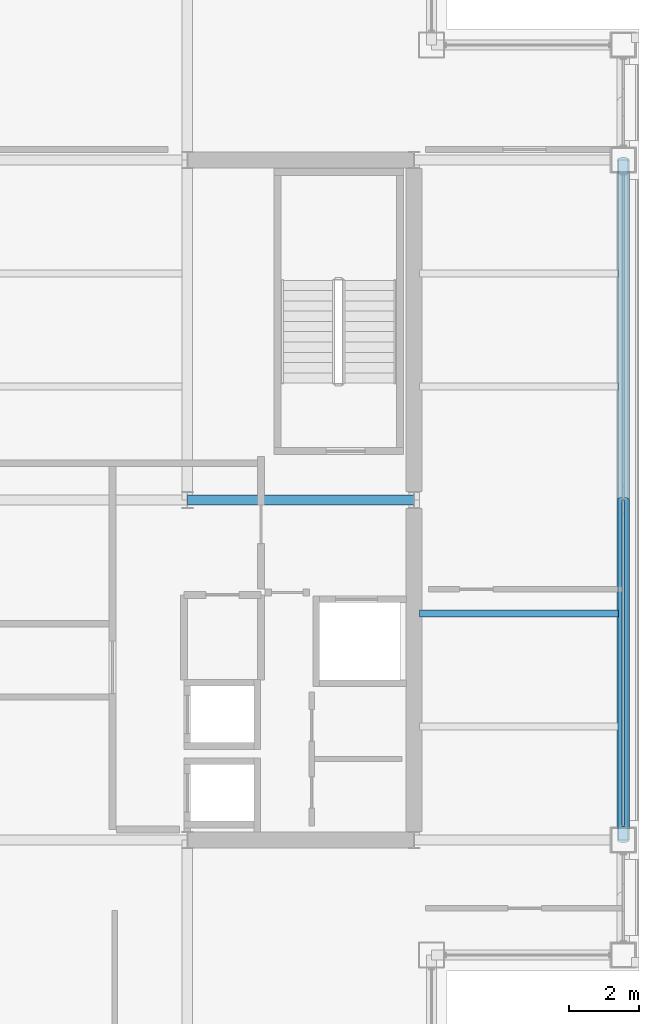
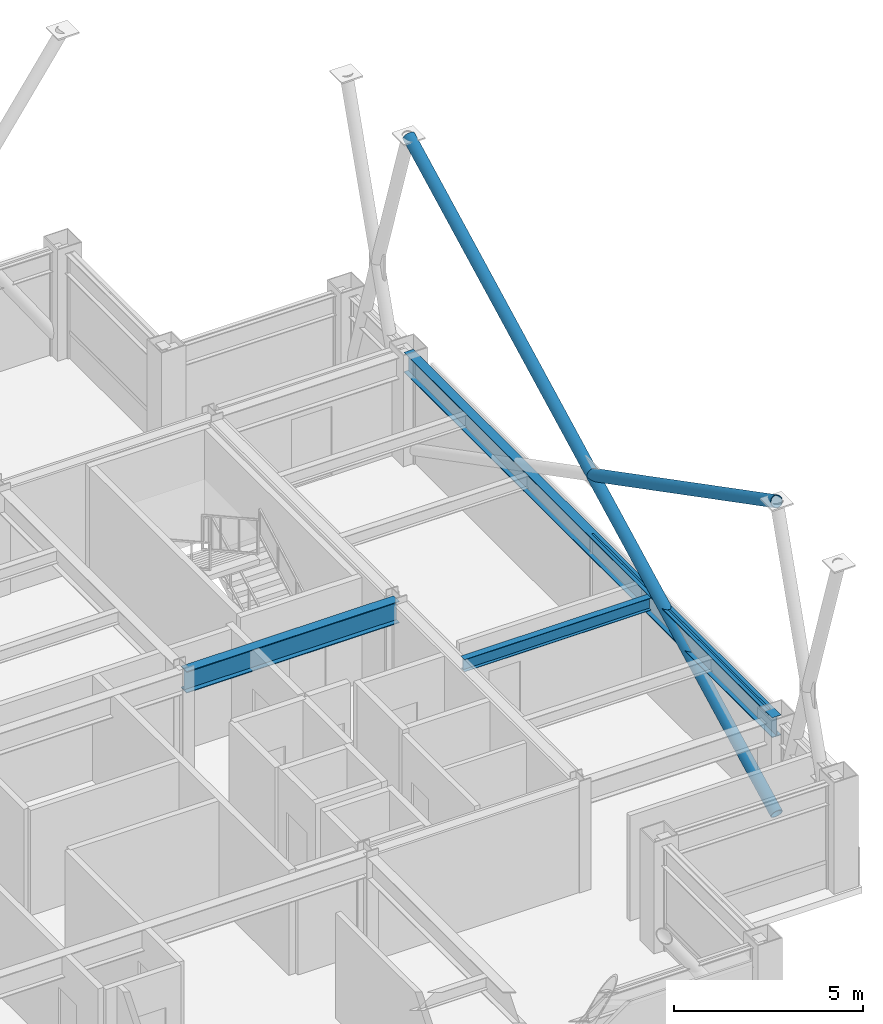
# One storey, part 16 of 32: 3 beams, 3 members, 1 element without a shape of its own.
"""IFC4 building model written with IfcOpenShell, lengths in metres."""

from ifc_helpers import new_model, si_unit, direction, frame, origin, origin_2d, place, context, subcontext, project, spatial, hollow_rectangle, hollow_circle, i_section, extrude, material, layer, layer_set, material_profile, profile_set, type_object, element, aggregate, save


model = new_model("IFC4")

# Units and contexts
model_context = context("Model", 3, precision=1e-05, world=origin(), true_north=direction((0.0, 1.0)))
body_context = subcontext(model_context, "Body", "Model", "MODEL_VIEW")
ifc_project = project(units=[si_unit("LENGTHUNIT", "METRE"), si_unit("AREAUNIT", "SQUARE_METRE"), si_unit("VOLUMEUNIT", "CUBIC_METRE"), si_unit("PLANEANGLEUNIT", "RADIAN"), si_unit("MASSUNIT", "GRAM", prefix="KILO")], contexts=[model_context])

# Site, building, storey
site_placement = place(None, origin())
site = spatial("IfcSite", under=ifc_project, at=site_placement, CompositionType="ELEMENT")
building_placement = place(site_placement, origin())
building = spatial("IfcBuilding", under=site, at=building_placement, Name="Brelmoor Portico Tower", CompositionType="ELEMENT")
storey_placement = place(building_placement, frame((0.0, 0.0, 162.300048828125)))
storey = spatial("IfcBuildingStorey", under=building, at=storey_placement, Name="L42", CompositionType="ELEMENT", Elevation=162.300048828125)

# Beams
ifc_material_1 = material(Name="Steel Q355B", Category="steel")
ifc_material_profile_1 = material_profile(ifc_material_1, i_section(OverallWidth=0.199951171875, OverallDepth=0.39990234375, WebThickness=0.008056640625, FlangeThickness=0.012939453125, at=origin_2d()), Name="HN 400x200x8x13")
ifc_profile_set_1 = profile_set([ifc_material_profile_1], Name="Steel Q355B")
beam_type_1 = type_object("IfcBeamType", Name="BM-JS-400", PredefinedType="JOIST", material=ifc_profile_set_1)
beam_1_placement = place(storey_placement, frame((14.699951171875, -3.25, 3.199951171875), z_axis=(1.0, 0.0, 0.0), x_axis=(0.0, 1.0, 0.0)))
element("IfcBeam", 1, at=beam_1_placement, inside=storey, type_object=beam_type_1, Name="L42 Secondary Wing Joist JS-E10", PredefinedType="JOIST", context=body_context, shape_type="SweptSolid", body=[
    extrude(i_section(OverallWidth=0.199951171875, OverallDepth=0.39990234375, WebThickness=0.008056640625, FlangeThickness=0.012939453125, at=origin_2d()), origin(), (0.0, 0.0, 1.0), 5.7099609375),
])
ifc_material_profile_2 = material_profile(ifc_material_1, i_section(OverallWidth=0.300048828125, OverallDepth=0.699951171875, WebThickness=0.012939453125, FlangeThickness=0.02392578125, at=origin_2d()), Name="HN 700x300x13x24")
ifc_profile_set_2 = profile_set([ifc_material_profile_2], Name="Steel Q355B")
beam_type_2 = type_object("IfcBeamType", Name="BM-PG-700", PredefinedType="BEAM", material=ifc_profile_set_2)
beam_2_placement = place(storey_placement, frame((8.050048828125, 0.0, 3.050048828125), z_axis=(1.0, 0.0, 0.0), x_axis=(0.0, 1.0, 0.0)))
element("IfcBeam", 2, at=beam_2_placement, inside=storey, type_object=beam_type_2, Name="L42 Primary Floor Girder PG-18", PredefinedType="BEAM", context=body_context, shape_type="SweptSolid", body=[
    extrude(i_section(OverallWidth=0.300048828125, OverallDepth=0.699951171875, WebThickness=0.012939453125, FlangeThickness=0.02392578125, at=origin_2d()), origin(), (0.0, 0.0, 1.0), 6.5),
])
ifc_material_profile_3 = material_profile(ifc_material_1, i_section(OverallWidth=0.280029296875, OverallDepth=0.64990234375, WebThickness=0.012939453125, FlangeThickness=0.02197265625, at=origin_2d()), Name="HN 650x280x13x22")
ifc_profile_set_3 = profile_set([ifc_material_profile_3], Name="Steel Q355B")
beam_type_3 = type_object("IfcBeamType", Name="BM-SP-650", PredefinedType="SPANDREL", material=ifc_profile_set_3)
beam_3_placement = place(storey_placement, frame((20.550048828125, -9.75, 3.074951171875), z_axis=(0.0, 1.0, 0.0), x_axis=(-1.0, 0.0, 0.0)))
element("IfcBeam", 3, at=beam_3_placement, inside=storey, type_object=beam_type_3, Name="L42 Perimeter Spandrel Beam SP-19", PredefinedType="SPANDREL", context=body_context, shape_type="SweptSolid", body=[
    extrude(i_section(OverallWidth=0.280029296875, OverallDepth=0.64990234375, WebThickness=0.012939453125, FlangeThickness=0.02197265625, at=origin_2d()), origin(), (0.0, 0.0, 1.0), 19.5),
])

# Members
ifc_material_profile_4 = material_profile(ifc_material_1, hollow_circle(Radius=0.177978515625, WallThickness=0.01611328125, at=origin_2d()), Name="CHS 356x16")
ifc_profile_set_4 = profile_set([ifc_material_profile_4], Name="Steel Q355B")
member_type_1 = type_object("IfcMemberType", Name="MB-BELT-DIAG2", PredefinedType="BRACE", material=ifc_profile_set_4)
member_1_placement = place(storey_placement, frame((20.550048828125, -9.75, 0.25), z_axis=(0.0, 0.8879639262, 0.459913106758), x_axis=(-1.0, 0.0, 0.0)))
element("IfcMember", 4, at=member_1_placement, inside=storey, type_object=member_type_1, Name="L42 Continuous Mega-X Brace 096A", PredefinedType="BRACE", context=body_context, shape_type="SweptSolid", body=[
    extrude(hollow_circle(Radius=0.177978515625, WallThickness=0.01611328125, at=origin_2d()), origin(), (0.0, 0.0, 1.0), 21.96044921875),
])
member_2_placement = place(storey_placement, frame((20.550048828125, 0.0, 5.300048828125), z_axis=(0.0, -0.887968466347, 0.459904340894), x_axis=(1.0, 0.0, 0.0)))
element("IfcMember", 5, at=member_2_placement, inside=storey, type_object=member_type_1, Name="L42 Split Mega-X Brace 096B2", PredefinedType="BRACE", context=body_context, shape_type="SweptSolid", body=[
    extrude(hollow_circle(Radius=0.177978515625, WallThickness=0.01611328125, at=origin_2d()), origin(), (0.0, 0.0, 1.0), 10.980224609375),
])

# Curtain wall, member
ifc_material_2 = material(Name="Anodised Aluminium Alloy 6063-T6", Category="aluminium")
ifc_layer = layer(ifc_material_2, 0.179931640625)
ifc_layer_set = layer_set([ifc_layer], Name="Anodised Aluminium Alloy 6063-T6")
curtain_wall_type = type_object("IfcCurtainWallType", Name="CW-TOWER-Z3-XB", PredefinedType="NOTDEFINED", material=ifc_layer_set)
curtain_wall_placement = place(storey_placement, origin())
curtain_wall = element("IfcCurtainWall", 6, at=curtain_wall_placement, inside=storey, type_object=curtain_wall_type, Name="L42 Curtain Wall CW-L42-04-2", PredefinedType="NOTDEFINED")
ifc_material_profile_5 = material_profile(ifc_material_2, hollow_rectangle(XDim=0.06005859375, YDim=0.125, WallThickness=0.00341796875, at=origin_2d()), Name="ALU TRANSOM 60x125")
ifc_profile_set_5 = profile_set([ifc_material_profile_5], Name="Anodised Aluminium Alloy 6063-T6")
member_type_2 = type_object("IfcMemberType", Name="MB-CW-TRAN-125", PredefinedType="USERDEFINED", material=ifc_profile_set_5)
member_3_placement = place(storey_placement, frame((20.550048828125, -9.364990234375, 3.33740234375), z_axis=(0.0, 1.0, 0.0), x_axis=(-1.0, 0.0, 0.0)))
member_3 = element("IfcMember", 7, at=member_3_placement, type_object=member_type_2, Name="CW-L42-04-2 Transom 1-00", ObjectType="TRANSOM", PredefinedType="USERDEFINED", context=body_context, shape_type="SweptSolid", body=[
    extrude(hollow_rectangle(XDim=0.06005859375, YDim=0.125, WallThickness=0.00341796875, at=origin_2d()), origin(), (0.0, 0.0, 1.0), 9.364990234375),
])
aggregate(curtain_wall, [member_3])

save(model, "model.ifc")
